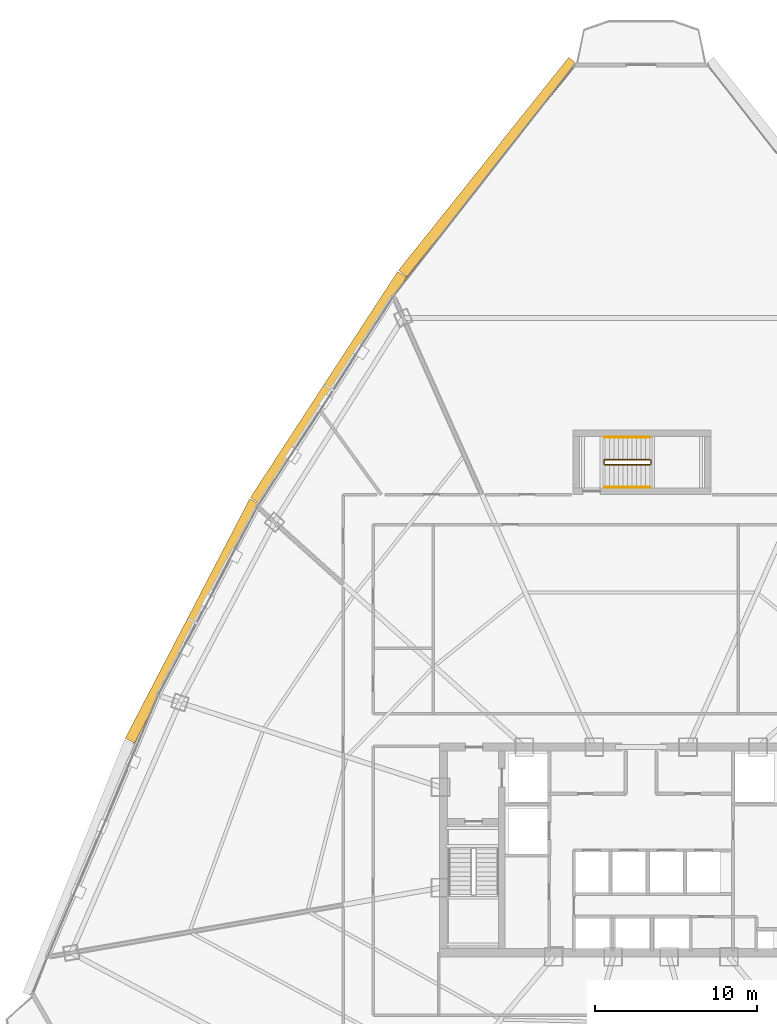
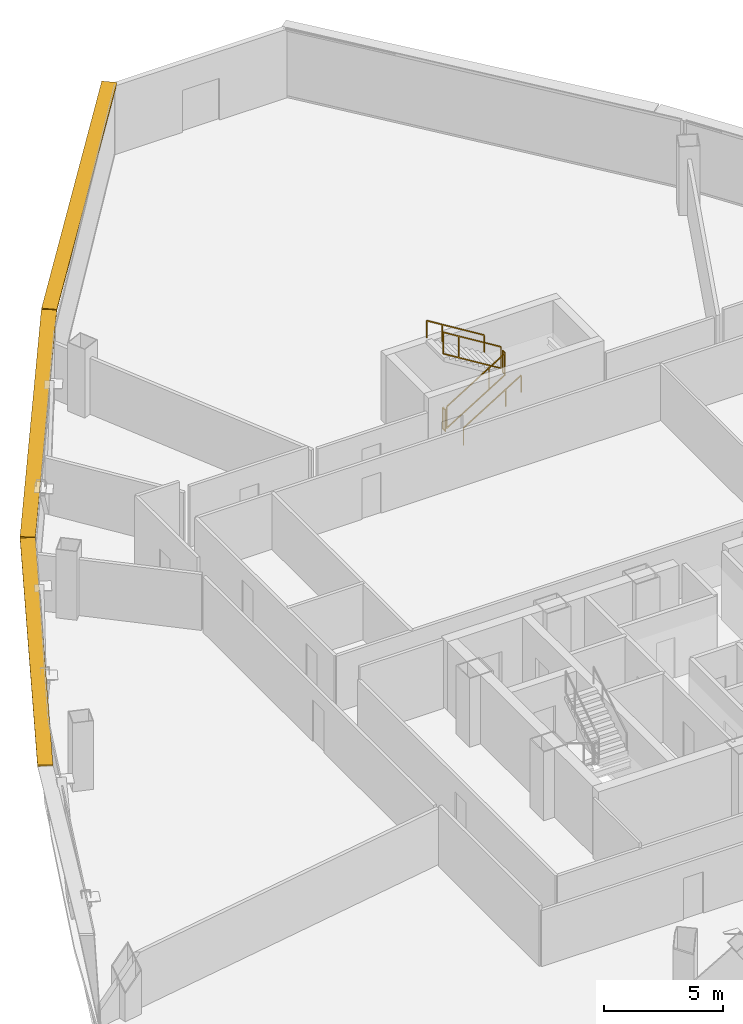
# One storey, part 35 of 36: 6 railings, 3 shading devices.
"""IFC4 building model written with IfcOpenShell, lengths in metres."""

from ifc_helpers import new_model, si_unit, direction, frame, origin, origin_2d, place, context, subcontext, project, spatial, rectangle, extrude, source, transform, mapped, material, layer, layer_set, type_object, element, save


model = new_model("IFC4")

# Units and contexts
model_context = context("Model", 3, precision=1e-05, world=origin(), true_north=direction((0.0, 1.0)))
body_context = subcontext(model_context, "Body", "Model", "MODEL_VIEW")
ifc_project = project(units=[si_unit("LENGTHUNIT", "METRE"), si_unit("AREAUNIT", "SQUARE_METRE"), si_unit("VOLUMEUNIT", "CUBIC_METRE"), si_unit("PLANEANGLEUNIT", "RADIAN"), si_unit("MASSUNIT", "GRAM", prefix="KILO"), si_unit("THERMODYNAMICTEMPERATUREUNIT", "KELVIN"), si_unit("POWERUNIT", "WATT")], contexts=[model_context])

# Site, building, storey
site_placement = place(None, origin())
site = spatial("IfcSite", under=ifc_project, at=site_placement, CompositionType="ELEMENT")
building_placement = place(site_placement, origin())
building = spatial("IfcBuilding", under=site, at=building_placement, Name="Yunzhuo Pagoda Commons", CompositionType="ELEMENT")
storey_placement = place(building_placement, frame((0.0, 0.0, 215.159912109375)))
storey = spatial("IfcBuildingStorey", under=building, at=storey_placement, Name="L54", CompositionType="ELEMENT", Elevation=215.159912109375)

# Railings
ifc_material = material(Name="Anodized aluminium 6063-T6", Category="aluminium")
railing_type_1 = type_object("IfcRailingType", Name="GR-ST3 North Well Guardrail 1155", PredefinedType="GUARDRAIL", material=ifc_material)
railing_1_placement = place(storey_placement, frame((45.75, 57.64990234375, 0.1728515625)))
element("IfcRailing", 1, at=railing_1_placement, inside=storey, type_object=railing_type_1, Name="L54 ST3 stair guard 1", PredefinedType="GUARDRAIL", context=body_context, shape_type="SweptSolid", body=[
    extrude(rectangle(XDim=0.048095703125, YDim=0.048095703125, at=origin_2d()), frame((0.0, 0.0, 1.1259765625), z_axis=(0.851089632645, 0.0, 0.525020415988), x_axis=(0.0, 1.0, 0.0)), (0.0, 0.0, 1.0), 3.2900390625),
    extrude(rectangle(XDim=0.048095703125, YDim=0.048095703125, at=origin_2d()), frame((0.0, 0.0, 0.02392578125), z_axis=(0.851089632645, 0.0, 0.525020415988), x_axis=(0.0, 1.0, 0.0)), (0.0, 0.0, 1.0), 3.2900390625),
    extrude(rectangle(XDim=0.0419921875, YDim=0.0419921875, at=origin_2d()), origin(), (0.0, 0.0, 1.0), 1.101806640625),
    extrude(rectangle(XDim=0.0419921875, YDim=0.0419921875, at=origin_2d()), frame((2.042724609375, 0.0, 1.260009765625)), (0.0, 0.0, 1.0), 1.101806640625),
    extrude(rectangle(XDim=0.0419921875, YDim=0.0419921875, at=origin_2d()), frame((2.800048828125, 0.0, 1.727294921875)), (0.0, 0.0, 1.0), 1.101806640625),
])
railing_2_placement = place(storey_placement, frame((48.60009765625, 57.699951171875, 1.900146484375)))
element("IfcRailing", 2, at=railing_2_placement, inside=storey, type_object=railing_type_1, Name="L54 ST3 stair guard 2", PredefinedType="GUARDRAIL", context=body_context, shape_type="SweptSolid", body=[
    extrude(rectangle(XDim=0.048095703125, YDim=0.048095703125, at=origin_2d()), frame((0.0, 0.0, 1.1259765625), z_axis=(0.0, 1.0, 0.0), x_axis=(-1.0, 0.0, 0.0)), (0.0, 0.0, 1.0), 0.199951171875),
    extrude(rectangle(XDim=0.048095703125, YDim=0.048095703125, at=origin_2d()), frame((0.0, 0.0, 0.02392578125), z_axis=(0.0, 1.0, 0.0), x_axis=(-1.0, 0.0, 0.0)), (0.0, 0.0, 1.0), 0.199951171875),
    extrude(rectangle(XDim=0.0419921875, YDim=0.0419921875, at=origin_2d()), origin(), (0.0, 0.0, 1.0), 1.101806640625),
    extrude(rectangle(XDim=0.0419921875, YDim=0.0419921875, at=origin_2d()), frame((0.0, 0.199951171875, 0.0)), (0.0, 0.0, 1.0), 1.101806640625),
])
railing_3_placement = place(storey_placement, frame((48.550048828125, 57.949951171875, 2.07275390625)))
element("IfcRailing", 3, at=railing_3_placement, inside=storey, type_object=railing_type_1, Name="L54 ST3 stair guard 3", PredefinedType="GUARDRAIL", context=body_context, shape_type="SweptSolid", body=[
    extrude(rectangle(XDim=0.048095703125, YDim=0.048095703125, at=origin_2d()), frame((0.0, 0.0, 1.1259765625), z_axis=(-0.851089632645, 0.0, 0.525020415988), x_axis=(0.0, -1.0, 0.0)), (0.0, 0.0, 1.0), 3.2900390625),
    extrude(rectangle(XDim=0.048095703125, YDim=0.048095703125, at=origin_2d()), frame((0.0, 0.0, 0.02392578125), z_axis=(-0.851089632645, 0.0, 0.525020415988), x_axis=(0.0, -1.0, 0.0)), (0.0, 0.0, 1.0), 3.2900390625),
    extrude(rectangle(XDim=0.0419921875, YDim=0.0419921875, at=origin_2d()), origin(), (0.0, 0.0, 1.0), 1.101806640625),
    extrude(rectangle(XDim=0.0419921875, YDim=0.0419921875, at=origin_2d()), frame((-2.042724609375, 0.0, 1.260009765625)), (0.0, 0.0, 1.0), 1.101806640625),
    extrude(rectangle(XDim=0.0419921875, YDim=0.0419921875, at=origin_2d()), frame((-2.800048828125, 0.0, 1.727294921875)), (0.0, 0.0, 1.0), 1.101806640625),
])
railing_4_placement = place(storey_placement, frame((45.699951171875, 57.699951171875, 0.0)))
element("IfcRailing", 4, at=railing_4_placement, inside=storey, type_object=railing_type_1, Name="L54 ST3 stair guard 4", PredefinedType="GUARDRAIL", context=body_context, shape_type="SweptSolid", body=[
    extrude(rectangle(XDim=0.048095703125, YDim=0.048095703125, at=origin_2d()), frame((0.0, 0.0, 1.1259765625), z_axis=(0.0, 1.0, 0.0), x_axis=(-1.0, 0.0, 0.0)), (0.0, 0.0, 1.0), 0.199951171875),
    extrude(rectangle(XDim=0.048095703125, YDim=0.048095703125, at=origin_2d()), frame((0.0, 0.0, 0.02392578125), z_axis=(0.0, 1.0, 0.0), x_axis=(-1.0, 0.0, 0.0)), (0.0, 0.0, 1.0), 0.199951171875),
    extrude(rectangle(XDim=0.0419921875, YDim=0.0419921875, at=origin_2d()), origin(), (0.0, 0.0, 1.0), 1.101806640625),
    extrude(rectangle(XDim=0.0419921875, YDim=0.0419921875, at=origin_2d()), frame((0.0, 0.199951171875, 0.0)), (0.0, 0.0, 1.0), 1.101806640625),
])
railing_type_2 = type_object("IfcRailingType", Name="HR-ST3 North Stair Handrail 900", PredefinedType="HANDRAIL", material=ifc_material)
railing_5_placement = place(storey_placement, frame((45.75, 56.25, 0.1728515625)))
element("IfcRailing", 5, at=railing_5_placement, inside=storey, type_object=railing_type_2, Name="L54 ST3 stair handrail 1", PredefinedType="HANDRAIL", context=body_context, shape_type="SweptSolid", body=[
    extrude(rectangle(XDim=0.048095703125, YDim=0.048095703125, at=origin_2d()), frame((0.0, 0.0, 0.8759765625), z_axis=(0.851089632645, 0.0, 0.525020415988), x_axis=(0.0, 1.0, 0.0)), (0.0, 0.0, 1.0), 3.2900390625),
    extrude(rectangle(XDim=0.0419921875, YDim=0.0419921875, at=origin_2d()), origin(), (0.0, 0.0, 1.0), 0.851806640625),
    extrude(rectangle(XDim=0.0419921875, YDim=0.0419921875, at=origin_2d()), frame((2.042724609375, 0.0, 1.260009765625)), (0.0, 0.0, 1.0), 0.851806640625),
    extrude(rectangle(XDim=0.0419921875, YDim=0.0419921875, at=origin_2d()), frame((2.800048828125, 0.0, 1.727294921875)), (0.0, 0.0, 1.0), 0.851806640625),
])
railing_6_placement = place(storey_placement, frame((48.550048828125, 59.35009765625, 2.07275390625)))
element("IfcRailing", 6, at=railing_6_placement, inside=storey, type_object=railing_type_2, Name="L54 ST3 stair handrail 2", PredefinedType="HANDRAIL", context=body_context, shape_type="SweptSolid", body=[
    extrude(rectangle(XDim=0.048095703125, YDim=0.048095703125, at=origin_2d()), frame((0.0, 0.0, 0.8759765625), z_axis=(-0.851089632645, 0.0, 0.525020415988), x_axis=(0.0, -1.0, 0.0)), (0.0, 0.0, 1.0), 3.2900390625),
    extrude(rectangle(XDim=0.0419921875, YDim=0.0419921875, at=origin_2d()), origin(), (0.0, 0.0, 1.0), 0.851806640625),
    extrude(rectangle(XDim=0.0419921875, YDim=0.0419921875, at=origin_2d()), frame((-2.042724609375, 0.0, 1.260009765625)), (0.0, 0.0, 1.0), 0.851806640625),
    extrude(rectangle(XDim=0.0419921875, YDim=0.0419921875, at=origin_2d()), frame((-2.800048828125, 0.0, 1.727294921875)), (0.0, 0.0, 1.0), 0.851806640625),
])

# Shading devices
ifc_layer = layer(ifc_material, 0.080078125)
ifc_layer_set = layer_set([ifc_layer], Name="Anodized aluminium 6063-T6")
shading_device_type = type_object("IfcShadingDeviceType", Name="SH-SUN1 Pagoda Horizontal Sunshade Eave 650", PredefinedType="USERDEFINED", material=ifc_layer_set)
shared_shape_1 = source(origin(), body_context, "Body", "SweptSolid", [
    extrude(rectangle(XDim=16.82861328125, YDim=0.64990234375, at=origin_2d()), origin(), (0.0, 0.0, 1.0), 0.080078125),
])
shading_device_placement = place(storey_placement, frame((38.525634765625, 76.029296875, 3.43994140625), z_axis=(0.0, 0.0, 1.0), x_axis=(-0.624520471688, -0.781008438138, 0.0)))
element("IfcShadingDevice", 7, at=shading_device_placement, inside=storey, type_object=shading_device_type, Name="L54 horizontal pagoda sunshade eave F3.1", ObjectType="SUNSHADE", PredefinedType="USERDEFINED", context=body_context, shape_type="MappedRepresentation", body=[
    mapped(shared_shape_1, transform((0.0, 0.0, 0.0), scale=1.0)),
])
shared_shape_2 = source(origin(), body_context, "Body", "SweptSolid", [
    extrude(rectangle(XDim=16.668701171875, YDim=0.64990234375, at=origin_2d()), origin(), (0.0, 0.0, 1.0), 0.080078125),
])
for number, where, z_axis, x_axis, name in (
    (8, (28.6845703125, 62.42333984375, 3.43994140625), (0.0, 0.0, 1.0), (-0.545838756973, -0.837890238269, 0.0), "L54 horizontal pagoda sunshade eave F3.2"),
    (9, (20.25927734375, 47.989990234375, 3.43994140625), (0.0, 0.0, 1.0), (-0.461206683033, -0.88729273384, 0.0), "L54 horizontal pagoda sunshade eave F3.3"),
):
    element("IfcShadingDevice", number, at=place(storey_placement, frame(where, z_axis=z_axis, x_axis=x_axis)), inside=storey, type_object=shading_device_type, Name=name, ObjectType="SUNSHADE", PredefinedType="USERDEFINED", context=body_context, shape_type="MappedRepresentation", body=[
        mapped(shared_shape_2, transform((0.0, 0.0, 0.0), scale=1.0)),
    ])

save(model, "model.ifc")
